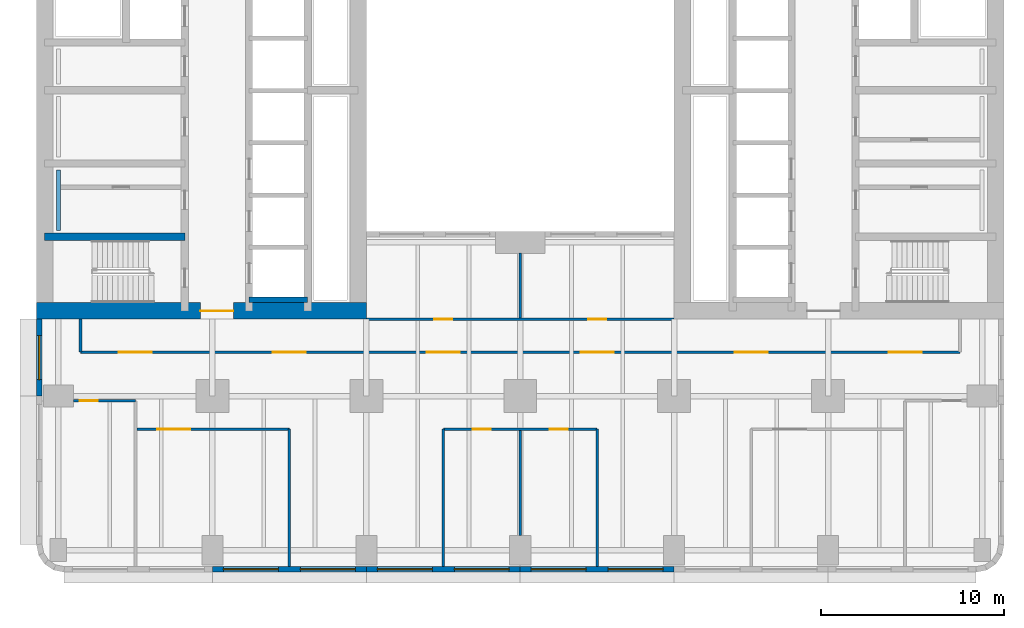
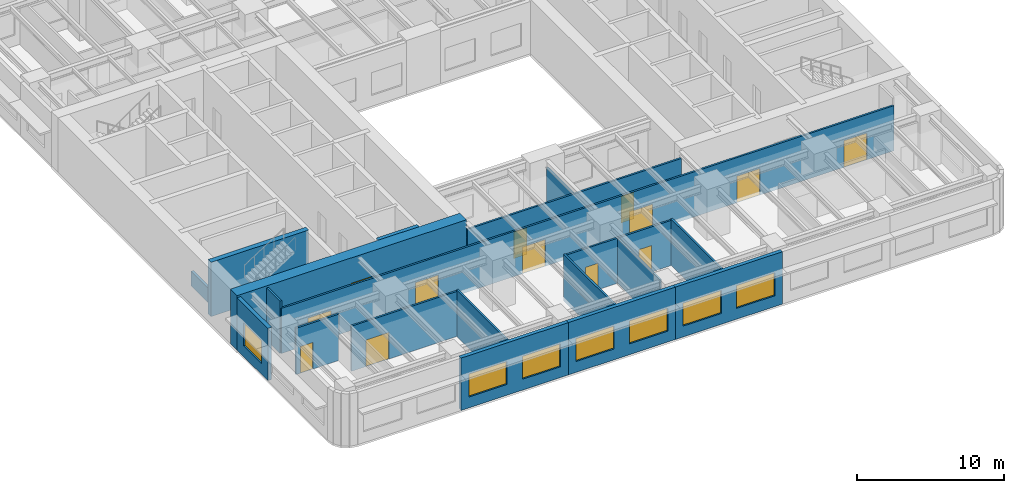
# One storey, part 3 of 14: 19 walls, 13 doors, 7 windows, 20 openings.
"""IFC4 building model written with IfcOpenShell, lengths in metres."""

import ifcopenshell
import ifcopenshell.guid

model = None  # the IFC model being written
_history = None  # IfcOwnerHistory: only IFC2X3 demands one
_inside = {}  # id of a spatial element -> (the spatial element, [elements in it])
_under = {}  # id of a project, library or spatial element -> (it, [spatial elements below it])
_declared = {}  # id of a project -> (the project, [libraries it declares])
_typed = {}  # id of a type object -> (the type object, [elements of that type])
_made_of = {}  # id of a material, layer set ... -> (it, [elements and type objects made of it])


def new_model(schema):
    """Start an empty IFC model of exactly this schema.

    Asked for "IFC4X3", IfcOpenShell would pick the latest addendum, in which some entities
    have other attributes; the version numbers below select the first issue.
    IFC2X3 requires an IfcOwnerHistory on every rooted entity: one is made here for all.
    """
    global model, _history
    if schema == "IFC4X3":
        model = ifcopenshell.file(schema_version=(4, 3, 0, 0))
    else:
        model = ifcopenshell.file(schema=schema)
    _inside.clear()
    _under.clear()
    _declared.clear()
    _typed.clear()
    _made_of.clear()
    _history = None
    if model.schema == "IFC2X3":
        org = make("IfcOrganization", Name="unknown")
        user = make(
            "IfcPersonAndOrganization",
            ThePerson=make("IfcPerson", FamilyName="unknown"),
            TheOrganization=org,
        )
        app = make(
            "IfcApplication",
            ApplicationDeveloper=org,
            Version="unknown",
            ApplicationFullName="unknown",
            ApplicationIdentifier="unknown",
        )
        _history = make(
            "IfcOwnerHistory",
            OwningUser=user,
            OwningApplication=app,
            ChangeAction="ADDED",
            CreationDate=0,
        )
    return model


def make(cls, **values):
    """One entity of the class cls with the attributes given. An attribute that is None is left unset."""
    return model.create_entity(
        cls, **{name: value for name, value in values.items() if value is not None}
    )


def rooted(cls, **values):
    """An entity with a GlobalId (a new one), such as an element, a storey or a relation."""
    return make(cls, GlobalId=ifcopenshell.guid.new(), OwnerHistory=_history, **values)


def si_unit(unit_type, name, prefix=None):
    """IfcSIUnit, for example si_unit("LENGTHUNIT", "METRE", prefix="MILLI")."""
    return make("IfcSIUnit", UnitType=unit_type, Prefix=prefix, Name=name)


def assignment(units):
    """IfcUnitAssignment: the units of a project."""
    return None if units is None else make("IfcUnitAssignment", Units=units)


def point(xyz):
    """IfcCartesianPoint."""
    return None if xyz is None else make("IfcCartesianPoint", Coordinates=xyz)


def direction(xyz):
    """IfcDirection."""
    return None if xyz is None else make("IfcDirection", DirectionRatios=xyz)


def frame(location, z_axis=None, x_axis=None):
    """IfcAxis2Placement3D, a coordinate frame: its origin and axes. An axis left out is left unset."""
    return make(
        "IfcAxis2Placement3D",
        Location=point(location),
        Axis=direction(z_axis),
        RefDirection=direction(x_axis),
    )


def frame_2d(location, x_axis=None):
    """IfcAxis2Placement2D, a coordinate frame in the plane: its origin and x axis."""
    return make(
        "IfcAxis2Placement2D", Location=point(location), RefDirection=direction(x_axis)
    )


def origin():
    """The frame at (0, 0, 0) with its axes left unset."""
    return frame((0.0, 0.0, 0.0))


def place(relative_to, where):
    """IfcLocalPlacement: puts the frame where relative to a parent placement (None: the world)."""
    return make(
        "IfcLocalPlacement", PlacementRelTo=relative_to, RelativePlacement=where
    )


def context(
    kind, dimensions, precision=None, world=None, true_north=None, identifier=None
):
    """IfcGeometricRepresentationContext, for example the 3D "Model" context."""
    return make(
        "IfcGeometricRepresentationContext",
        ContextIdentifier=identifier,
        ContextType=kind,
        CoordinateSpaceDimension=dimensions,
        Precision=precision,
        WorldCoordinateSystem=world,
        TrueNorth=true_north,
    )


def subcontext(parent, identifier, kind, view, scale=None):
    """IfcGeometricRepresentationSubContext, for example "Body" below "Model"."""
    return make(
        "IfcGeometricRepresentationSubContext",
        ContextIdentifier=identifier,
        ContextType=kind,
        ParentContext=parent,
        TargetScale=scale,
        TargetView=view,
    )


def project(units=None, contexts=None):
    """IfcProject with its units and contexts."""
    return rooted(
        "IfcProject",
        Name="project",
        RepresentationContexts=contexts,
        UnitsInContext=assignment(units),
    )


def spatial(cls, under=None, at=None, **own):
    """A site, building, storey or space (cls), placed at a placement, below another one or the project."""
    s = rooted(cls, ObjectPlacement=at, **own)
    if under is not None:
        _under.setdefault(under.id(), (under, []))[1].append(s)
    return s


def profile(cls, at=None, kind="AREA", **sizes):
    """A parametric profile (cls). Its sizes go by their IFC names, for example OverallWidth=200.0."""
    return make(cls, ProfileType=kind, Position=at, **sizes)


def rectangle(**sizes):
    """IfcRectangleProfileDef."""
    return profile("IfcRectangleProfileDef", **sizes)


def extrude(swept, where, along, depth):
    """IfcExtrudedAreaSolid: the profile swept, set in the frame where, extruded along a direction by depth."""
    return make(
        "IfcExtrudedAreaSolid",
        SweptArea=swept,
        Position=where,
        ExtrudedDirection=direction(along),
        Depth=depth,
    )


def shape(context_of_items, identifier, shape_type, items):
    """IfcShapeRepresentation: the items that make up one representation, for example the "Body"."""
    return make(
        "IfcShapeRepresentation",
        ContextOfItems=context_of_items,
        RepresentationIdentifier=identifier,
        RepresentationType=shape_type,
        Items=items,
    )


def material(Name=None, Category=None):
    """IfcMaterial."""
    return make("IfcMaterial", Name=Name, Category=Category)


def layer(
    of_material, thickness, ventilated=None, Name=None, Category=None, Priority=None
):
    """IfcMaterialLayer: one layer of a wall or slab, of a material (None: an air gap)."""
    return make(
        "IfcMaterialLayer",
        Material=of_material,
        LayerThickness=thickness,
        IsVentilated=ventilated,
        Name=Name,
        Category=Category,
        Priority=Priority,
    )


def layer_set(layers, Name=None):
    """IfcMaterialLayerSet."""
    return make("IfcMaterialLayerSet", MaterialLayers=layers, LayerSetName=Name)


def made_of(thing, what):
    """Note that an element or type object is made of a material, layer set ...; save() writes the relation."""
    if what is not None:
        _made_of.setdefault(what.id(), (what, []))[1].append(thing)
    return thing


def type_object(cls, material=None, **own):
    """A type object (cls), such as IfcWallType, which elements share."""
    return made_of(rooted(cls, **own), material)


def element(
    cls,
    number,
    at=None,
    inside=None,
    cuts=None,
    type_object=None,
    material=None,
    context=None,
    identifier="Body",
    shape_type=None,
    held_by="IfcProductDefinitionShape",
    body=None,
    shapes=None,
    **own,
):
    """One element of the class cls, such as IfcWall. Its Tag is "e" and its number.

    at: its placement. inside: the storey or other place that contains it. cuts: it is an
    opening in that element (IfcRelVoidsElement). A single representation is given by context,
    identifier, shape_type and body (its items); several are given by shapes. held_by: the class
    of the entity that holds the representations. save() writes the other relations.
    """
    e = rooted(cls, Tag="e%d" % number, ObjectPlacement=at, **own)
    if body is not None:
        shapes = [shape(context, identifier, shape_type, body)]
    if shapes is not None:
        e.Representation = make(held_by, Representations=shapes)
    if inside is not None:
        _inside.setdefault(inside.id(), (inside, []))[1].append(e)
    if cuts is not None:
        rooted(
            "IfcRelVoidsElement", RelatingBuildingElement=cuts, RelatedOpeningElement=e
        )
    if type_object is not None:
        _typed.setdefault(type_object.id(), (type_object, []))[1].append(e)
    return made_of(e, material)


def fill(opening, filler):
    """IfcRelFillsElement: the door or window that sits in an opening."""
    return rooted(
        "IfcRelFillsElement",
        RelatingOpeningElement=opening,
        RelatedBuildingElement=filler,
    )


def aggregate(whole, parts):
    """IfcRelAggregates: a whole, such as a stair, and the parts it consists of."""
    return rooted("IfcRelAggregates", RelatingObject=whole, RelatedObjects=parts)


def save(model, path):
    """Write the relations noted so far, then the file.

    IfcRelAggregates (storeys below a building ...), IfcRelContainedInSpatialStructure (elements
    in a storey), IfcRelDefinesByType, IfcRelAssociatesMaterial and IfcRelDeclares: one each for
    every whole, place, type object, material and project.
    """
    for whole, parts in _under.values():
        aggregate(whole, parts)
    for where, things in _inside.values():
        rooted(
            "IfcRelContainedInSpatialStructure",
            RelatedElements=things,
            RelatingStructure=where,
        )
    for kind, things in _typed.values():
        rooted("IfcRelDefinesByType", RelatedObjects=things, RelatingType=kind)
    for what, things in _made_of.values():
        rooted("IfcRelAssociatesMaterial", RelatedObjects=things, RelatingMaterial=what)
    for by, libraries in _declared.values():
        rooted("IfcRelDeclares", RelatingContext=by, RelatedDefinitions=libraries)
    model.write(path)


model = new_model("IFC4")

# Units and contexts
model_context = context("Model", 3, precision=1e-05, world=origin(), true_north=direction((0.0, 1.0)))
body_context = subcontext(model_context, "Body", "Model", "MODEL_VIEW")
ifc_project = project(units=[si_unit("LENGTHUNIT", "METRE"), si_unit("AREAUNIT", "SQUARE_METRE"), si_unit("VOLUMEUNIT", "CUBIC_METRE"), si_unit("PLANEANGLEUNIT", "RADIAN"), si_unit("MASSUNIT", "GRAM", prefix="KILO")], contexts=[model_context])

# Site, building, storey
site_placement = place(None, origin())
site = spatial("IfcSite", under=ifc_project, at=site_placement, CompositionType="ELEMENT")
building_placement = place(site_placement, origin())
building = spatial("IfcBuilding", under=site, at=building_placement, Name="Claustro Exchange Tower", CompositionType="ELEMENT")
storey_placement = place(building_placement, frame((0.0, 0.0, 72.89990234375)))
storey = spatial("IfcBuildingStorey", under=building, at=storey_placement, Name="L16", CompositionType="ELEMENT", Elevation=72.89990234375)

# Wall, opening, door
ifc_material_1 = material(Name="Gypsum board on steel studs", Category="steel")
ifc_layer_1 = layer(ifc_material_1, 0.14990234375)
ifc_layer_set_1 = layer_set([ifc_layer_1], Name="Gypsum board on steel studs")
wall_type_1 = type_object("IfcWallType", Name="P1 150 plasterboard partition", PredefinedType="PARTITIONING", material=ifc_layer_set_1)
wall_1_placement = place(storey_placement, frame((0.823974609375, 8.14990234375, 0.0), z_axis=(0.0, 0.0, 1.0), x_axis=(1.0, 0.0, 0.0)))
wall_1 = element("IfcWall", 1, at=wall_1_placement, inside=storey, type_object=wall_type_1, Name="Partition P1 L16", PredefinedType="PARTITIONING", context=body_context, shape_type="SweptSolid", body=[
    extrude(rectangle(XDim=3.3759765625, YDim=0.14990234375, at=frame_2d((1.68798828125, 0.0))), origin(), (0.0, 0.0, 1.0), 3.840087890625),
])
opening_1_placement = place(wall_1_placement, frame((0.325927734375, 0.0, 0.0)))
opening_1 = element("IfcOpeningElement", 2, at=opening_1_placement, cuts=wall_1, Name="Opening D1", PredefinedType="OPENING", context=body_context, shape_type="SweptSolid", body=[
    extrude(rectangle(XDim=1.0, YDim=2.199951171875, at=frame_2d((0.5, 1.10009765625))), frame((0.0, 0.0849609375, 0.0), z_axis=(0.0, -1.0, 0.0), x_axis=(1.0, 0.0, 0.0)), (0.0, 0.0, 1.0), 0.169921875),
])
ifc_material_2 = material(Name="Timber door, oak veneer", Category="wood")
door_type_1 = type_object("IfcDoorType", Name="D1 1000 x 2200 single door", OperationType="SINGLE_SWING_LEFT", PredefinedType="DOOR", material=ifc_material_2)
door_1_placement = place(opening_1_placement, frame((1.0, 0.0, 0.0), z_axis=(0.0, 0.0, 1.0), x_axis=(-1.0, 0.0, 0.0)))
door_1 = element("IfcDoor", 3, at=door_1_placement, inside=storey, type_object=door_type_1, Name="Door D1 L16", OperationType="SINGLE_SWING_LEFT", OverallHeight=2.199951171875, OverallWidth=1.0, PredefinedType="DOOR", context=body_context, shape_type="SweptSolid", body=[
    extrude(rectangle(XDim=1.0, YDim=2.199951171875, at=frame_2d((0.5, 1.10009765625))), frame((0.0, 0.02490234375, 0.0), z_axis=(0.0, -1.0, 0.0), x_axis=(1.0, 0.0, 0.0)), (0.0, 0.0, 1.0), 0.050048828125),
])
fill(opening_1, door_1)

wall_2_placement = place(storey_placement, frame((4.27392578125, 6.60009765625, 0.0), z_axis=(0.0, 0.0, 1.0), x_axis=(1.0, 0.0, 0.0)))
wall_2 = element("IfcWall", 4, at=wall_2_placement, inside=storey, type_object=wall_type_1, Name="Partition P1 L16", PredefinedType="PARTITIONING", context=body_context, shape_type="SweptSolid", body=[
    extrude(rectangle(XDim=8.326171875, YDim=0.14990234375, at=frame_2d((4.1630859375, 0.0))), origin(), (0.0, 0.0, 1.0), 3.739990234375),
])
opening_2_placement = place(wall_2_placement, frame((1.1259765625, 0.0, 0.0)))
opening_2 = element("IfcOpeningElement", 5, at=opening_2_placement, cuts=wall_2, Name="Opening D2", PredefinedType="OPENING", context=body_context, shape_type="SweptSolid", body=[
    extrude(rectangle(XDim=1.800048828125, YDim=2.199951171875, at=frame_2d((0.89990234375, 1.10009765625))), frame((0.0, 0.0849609375, 0.0), z_axis=(0.0, -1.0, 0.0), x_axis=(1.0, 0.0, 0.0)), (0.0, 0.0, 1.0), 0.169921875),
])
ifc_material_3 = material(Name="Timber door, oak veneer", Category="wood")
door_type_2 = type_object("IfcDoorType", Name="D2 1800 x 2200 double door", OperationType="DOUBLE_DOOR_SINGLE_SWING", PredefinedType="DOOR", material=ifc_material_3)
door_2_placement = place(opening_2_placement, frame((1.800048828125, 0.0, 0.0), z_axis=(0.0, 0.0, 1.0), x_axis=(-1.0, 0.0, 0.0)))
door_2 = element("IfcDoor", 6, at=door_2_placement, inside=storey, type_object=door_type_2, Name="Double door D2 L16", OperationType="DOUBLE_DOOR_SINGLE_SWING", OverallHeight=2.199951171875, OverallWidth=1.800048828125, PredefinedType="DOOR", context=body_context, shape_type="SweptSolid", body=[
    extrude(rectangle(XDim=1.800048828125, YDim=2.199951171875, at=frame_2d((0.89990234375, 1.10009765625))), frame((0.0, 0.02490234375, 0.0), z_axis=(0.0, -1.0, 0.0), x_axis=(1.0, 0.0, 0.0)), (0.0, 0.0, 1.0), 0.050048828125),
])
fill(opening_2, door_2)

# Wall
wall_3_placement = place(storey_placement, frame((12.60009765625, -0.902099609375, 0.0), z_axis=(0.0, 0.0, 1.0), x_axis=(0.0, 1.0, 0.0)))
element("IfcWall", 7, at=wall_3_placement, inside=storey, type_object=wall_type_1, Name="Partition P1 L16", PredefinedType="PARTITIONING", context=body_context, shape_type="SweptSolid", body=[
    extrude(rectangle(XDim=7.502197265625, YDim=0.14990234375, at=frame_2d((3.7509765625, 0.0))), origin(), (0.0, 0.0, 1.0), 3.840087890625),
])

# Wall, openings, doors
wall_4_placement = place(storey_placement, frame((21.0, 6.60009765625, 0.0), z_axis=(0.0, 0.0, 1.0), x_axis=(1.0, 0.0, 0.0)))
wall_4 = element("IfcWall", 8, at=wall_4_placement, inside=storey, type_object=wall_type_1, Name="Partition P1 L16", PredefinedType="PARTITIONING", context=body_context, shape_type="SweptSolid", body=[
    extrude(rectangle(XDim=8.39990234375, YDim=0.14990234375, at=frame_2d((4.199951171875, 0.0))), origin(), (0.0, 0.0, 1.0), 3.739990234375),
])
opening_3_placement = place(wall_4_placement, frame((1.60009765625, 0.0, 0.0)))
opening_3 = element("IfcOpeningElement", 9, at=opening_3_placement, cuts=wall_4, Name="Opening D1", PredefinedType="OPENING", context=body_context, shape_type="SweptSolid", body=[
    extrude(rectangle(XDim=1.0, YDim=2.199951171875, at=frame_2d((0.5, 1.10009765625))), frame((0.0, 0.0849609375, 0.0), z_axis=(0.0, -1.0, 0.0), x_axis=(1.0, 0.0, 0.0)), (0.0, 0.0, 1.0), 0.169921875),
])
opening_4_placement = place(wall_4_placement, frame((5.800048828125, 0.0, 0.0)))
opening_4 = element("IfcOpeningElement", 10, at=opening_4_placement, cuts=wall_4, Name="Opening D1", PredefinedType="OPENING", context=body_context, shape_type="SweptSolid", body=[
    extrude(rectangle(XDim=1.0, YDim=2.199951171875, at=frame_2d((0.5, 1.10009765625))), frame((0.0, 0.0849609375, 0.0), z_axis=(0.0, -1.0, 0.0), x_axis=(1.0, 0.0, 0.0)), (0.0, 0.0, 1.0), 0.169921875),
])
door_3_placement = place(opening_3_placement, frame((1.0, 0.0, 0.0), z_axis=(0.0, 0.0, 1.0), x_axis=(-1.0, 0.0, 0.0)))
door_3 = element("IfcDoor", 11, at=door_3_placement, inside=storey, type_object=door_type_1, Name="Door D1 L16", OperationType="SINGLE_SWING_LEFT", OverallHeight=2.199951171875, OverallWidth=1.0, PredefinedType="DOOR", context=body_context, shape_type="SweptSolid", body=[
    extrude(rectangle(XDim=1.0, YDim=2.199951171875, at=frame_2d((0.5, 1.10009765625))), frame((0.0, 0.02490234375, 0.0), z_axis=(0.0, -1.0, 0.0), x_axis=(1.0, 0.0, 0.0)), (0.0, 0.0, 1.0), 0.050048828125),
])
fill(opening_3, door_3)
door_4_placement = place(opening_4_placement, frame((1.0, 0.0, 0.0), z_axis=(0.0, 0.0, 1.0), x_axis=(-1.0, 0.0, 0.0)))
door_4 = element("IfcDoor", 12, at=door_4_placement, inside=storey, type_object=door_type_1, Name="Door D1 L16", OperationType="SINGLE_SWING_LEFT", OverallHeight=2.199951171875, OverallWidth=1.0, PredefinedType="DOOR", context=body_context, shape_type="SweptSolid", body=[
    extrude(rectangle(XDim=1.0, YDim=2.199951171875, at=frame_2d((0.5, 1.10009765625))), frame((0.0, 0.02490234375, 0.0), z_axis=(0.0, -1.0, 0.0), x_axis=(1.0, 0.0, 0.0)), (0.0, 0.0, 1.0), 0.050048828125),
])
fill(opening_4, door_4)

# Walls
wall_5_placement = place(storey_placement, frame((21.0, -0.902099609375, 0.0), z_axis=(0.0, 0.0, 1.0), x_axis=(0.0, 1.0, 0.0)))
element("IfcWall", 13, at=wall_5_placement, inside=storey, type_object=wall_type_1, Name="Partition P1 L16", PredefinedType="PARTITIONING", context=body_context, shape_type="SweptSolid", body=[
    extrude(rectangle(XDim=7.502197265625, YDim=0.14990234375, at=frame_2d((3.7509765625, 0.0))), origin(), (0.0, 0.0, 1.0), 3.840087890625),
])
wall_6_placement = place(storey_placement, frame((25.199951171875, 0.799072265625, 0.0), z_axis=(0.0, 0.0, 1.0), x_axis=(0.0, 1.0, 0.0)))
element("IfcWall", 14, at=wall_6_placement, inside=storey, type_object=wall_type_1, Name="Partition P1 L16", PredefinedType="PARTITIONING", context=body_context, shape_type="SweptSolid", body=[
    extrude(rectangle(XDim=5.726806640625, YDim=0.14990234375, at=frame_2d((2.86328125, 0.0))), origin(), (0.0, 0.0, 1.0), 3.739990234375),
])
wall_7_placement = place(storey_placement, frame((29.39990234375, -0.902099609375, 0.0), z_axis=(0.0, 0.0, 1.0), x_axis=(0.0, 1.0, 0.0)))
element("IfcWall", 15, at=wall_7_placement, inside=storey, type_object=wall_type_1, Name="Partition P1 L16", PredefinedType="PARTITIONING", context=body_context, shape_type="SweptSolid", body=[
    extrude(rectangle(XDim=7.502197265625, YDim=0.14990234375, at=frame_2d((3.7509765625, 0.0))), origin(), (0.0, 0.0, 1.0), 3.840087890625),
])

# Wall, openings, doors
wall_8_placement = place(storey_placement, frame((1.199951171875, 10.800048828125, 0.0), z_axis=(0.0, 0.0, 1.0), x_axis=(1.0, 0.0, 0.0)))
wall_8 = element("IfcWall", 16, at=wall_8_placement, inside=storey, type_object=wall_type_1, Name="Partition P1 L16", PredefinedType="PARTITIONING", context=body_context, shape_type="SweptSolid", body=[
    extrude(rectangle(XDim=48.0, YDim=0.14990234375, at=frame_2d((24.0, 0.0))), origin(), (0.0, 0.0, 1.0), 3.739990234375),
])
opening_5_placement = place(wall_8_placement, frame((2.10009765625, 0.0, 0.0)))
opening_5 = element("IfcOpeningElement", 17, at=opening_5_placement, cuts=wall_8, Name="Opening D2", PredefinedType="OPENING", context=body_context, shape_type="SweptSolid", body=[
    extrude(rectangle(XDim=1.800048828125, YDim=2.199951171875, at=frame_2d((0.89990234375, 1.10009765625))), frame((0.0, 0.0849609375, 0.0), z_axis=(0.0, -1.0, 0.0), x_axis=(1.0, 0.0, 0.0)), (0.0, 0.0, 1.0), 0.169921875),
])
opening_6_placement = place(wall_8_placement, frame((10.5, 0.0, 0.0)))
opening_6 = element("IfcOpeningElement", 18, at=opening_6_placement, cuts=wall_8, Name="Opening D2", PredefinedType="OPENING", context=body_context, shape_type="SweptSolid", body=[
    extrude(rectangle(XDim=1.800048828125, YDim=2.199951171875, at=frame_2d((0.89990234375, 1.10009765625))), frame((0.0, 0.0849609375, 0.0), z_axis=(0.0, -1.0, 0.0), x_axis=(1.0, 0.0, 0.0)), (0.0, 0.0, 1.0), 0.169921875),
])
opening_7_placement = place(wall_8_placement, frame((18.89990234375, 0.0, 0.0)))
opening_7 = element("IfcOpeningElement", 19, at=opening_7_placement, cuts=wall_8, Name="Opening D2", PredefinedType="OPENING", context=body_context, shape_type="SweptSolid", body=[
    extrude(rectangle(XDim=1.800048828125, YDim=2.199951171875, at=frame_2d((0.89990234375, 1.10009765625))), frame((0.0, 0.0849609375, 0.0), z_axis=(0.0, -1.0, 0.0), x_axis=(1.0, 0.0, 0.0)), (0.0, 0.0, 1.0), 0.169921875),
])
opening_8_placement = place(wall_8_placement, frame((27.300048828125, 0.0, 0.0)))
opening_8 = element("IfcOpeningElement", 20, at=opening_8_placement, cuts=wall_8, Name="Opening D2", PredefinedType="OPENING", context=body_context, shape_type="SweptSolid", body=[
    extrude(rectangle(XDim=1.800048828125, YDim=2.199951171875, at=frame_2d((0.89990234375, 1.10009765625))), frame((0.0, 0.0849609375, 0.0), z_axis=(0.0, -1.0, 0.0), x_axis=(1.0, 0.0, 0.0)), (0.0, 0.0, 1.0), 0.169921875),
])
opening_9_placement = place(wall_8_placement, frame((35.699951171875, 0.0, 0.0)))
opening_9 = element("IfcOpeningElement", 21, at=opening_9_placement, cuts=wall_8, Name="Opening D2", PredefinedType="OPENING", context=body_context, shape_type="SweptSolid", body=[
    extrude(rectangle(XDim=1.800048828125, YDim=2.199951171875, at=frame_2d((0.89990234375, 1.10009765625))), frame((0.0, 0.0849609375, 0.0), z_axis=(0.0, -1.0, 0.0), x_axis=(1.0, 0.0, 0.0)), (0.0, 0.0, 1.0), 0.169921875),
])
opening_10_placement = place(wall_8_placement, frame((44.10009765625, 0.0, 0.0)))
opening_10 = element("IfcOpeningElement", 22, at=opening_10_placement, cuts=wall_8, Name="Opening D2", PredefinedType="OPENING", context=body_context, shape_type="SweptSolid", body=[
    extrude(rectangle(XDim=1.800048828125, YDim=2.199951171875, at=frame_2d((0.89990234375, 1.10009765625))), frame((0.0, 0.0849609375, 0.0), z_axis=(0.0, -1.0, 0.0), x_axis=(1.0, 0.0, 0.0)), (0.0, 0.0, 1.0), 0.169921875),
])
door_5_placement = place(opening_5_placement, frame((1.800048828125, 0.0, 0.0), z_axis=(0.0, 0.0, 1.0), x_axis=(-1.0, 0.0, 0.0)))
door_5 = element("IfcDoor", 23, at=door_5_placement, inside=storey, type_object=door_type_2, Name="Double door D2 L16", OperationType="DOUBLE_DOOR_SINGLE_SWING", OverallHeight=2.199951171875, OverallWidth=1.800048828125, PredefinedType="DOOR", context=body_context, shape_type="SweptSolid", body=[
    extrude(rectangle(XDim=1.800048828125, YDim=2.199951171875, at=frame_2d((0.89990234375, 1.10009765625))), frame((0.0, 0.02490234375, 0.0), z_axis=(0.0, -1.0, 0.0), x_axis=(1.0, 0.0, 0.0)), (0.0, 0.0, 1.0), 0.050048828125),
])
fill(opening_5, door_5)
door_6_placement = place(opening_6_placement, frame((1.800048828125, 0.0, 0.0), z_axis=(0.0, 0.0, 1.0), x_axis=(-1.0, 0.0, 0.0)))
door_6 = element("IfcDoor", 24, at=door_6_placement, inside=storey, type_object=door_type_2, Name="Double door D2 L16", OperationType="DOUBLE_DOOR_SINGLE_SWING", OverallHeight=2.199951171875, OverallWidth=1.800048828125, PredefinedType="DOOR", context=body_context, shape_type="SweptSolid", body=[
    extrude(rectangle(XDim=1.800048828125, YDim=2.199951171875, at=frame_2d((0.89990234375, 1.10009765625))), frame((0.0, 0.02490234375, 0.0), z_axis=(0.0, -1.0, 0.0), x_axis=(1.0, 0.0, 0.0)), (0.0, 0.0, 1.0), 0.050048828125),
])
fill(opening_6, door_6)
door_7_placement = place(opening_7_placement, frame((1.800048828125, 0.0, 0.0), z_axis=(0.0, 0.0, 1.0), x_axis=(-1.0, 0.0, 0.0)))
door_7 = element("IfcDoor", 25, at=door_7_placement, inside=storey, type_object=door_type_2, Name="Double door D2 L16", OperationType="DOUBLE_DOOR_SINGLE_SWING", OverallHeight=2.199951171875, OverallWidth=1.800048828125, PredefinedType="DOOR", context=body_context, shape_type="SweptSolid", body=[
    extrude(rectangle(XDim=1.800048828125, YDim=2.199951171875, at=frame_2d((0.89990234375, 1.10009765625))), frame((0.0, 0.02490234375, 0.0), z_axis=(0.0, -1.0, 0.0), x_axis=(1.0, 0.0, 0.0)), (0.0, 0.0, 1.0), 0.050048828125),
])
fill(opening_7, door_7)
door_8_placement = place(opening_8_placement, frame((1.800048828125, 0.0, 0.0), z_axis=(0.0, 0.0, 1.0), x_axis=(-1.0, 0.0, 0.0)))
door_8 = element("IfcDoor", 26, at=door_8_placement, inside=storey, type_object=door_type_2, Name="Double door D2 L16", OperationType="DOUBLE_DOOR_SINGLE_SWING", OverallHeight=2.199951171875, OverallWidth=1.800048828125, PredefinedType="DOOR", context=body_context, shape_type="SweptSolid", body=[
    extrude(rectangle(XDim=1.800048828125, YDim=2.199951171875, at=frame_2d((0.89990234375, 1.10009765625))), frame((0.0, 0.02490234375, 0.0), z_axis=(0.0, -1.0, 0.0), x_axis=(1.0, 0.0, 0.0)), (0.0, 0.0, 1.0), 0.050048828125),
])
fill(opening_8, door_8)
door_9_placement = place(opening_9_placement, frame((1.800048828125, 0.0, 0.0), z_axis=(0.0, 0.0, 1.0), x_axis=(-1.0, 0.0, 0.0)))
door_9 = element("IfcDoor", 27, at=door_9_placement, inside=storey, type_object=door_type_2, Name="Double door D2 L16", OperationType="DOUBLE_DOOR_SINGLE_SWING", OverallHeight=2.199951171875, OverallWidth=1.800048828125, PredefinedType="DOOR", context=body_context, shape_type="SweptSolid", body=[
    extrude(rectangle(XDim=1.800048828125, YDim=2.199951171875, at=frame_2d((0.89990234375, 1.10009765625))), frame((0.0, 0.02490234375, 0.0), z_axis=(0.0, -1.0, 0.0), x_axis=(1.0, 0.0, 0.0)), (0.0, 0.0, 1.0), 0.050048828125),
])
fill(opening_9, door_9)
door_10_placement = place(opening_10_placement, frame((1.800048828125, 0.0, 0.0), z_axis=(0.0, 0.0, 1.0), x_axis=(-1.0, 0.0, 0.0)))
door_10 = element("IfcDoor", 28, at=door_10_placement, inside=storey, type_object=door_type_2, Name="Double door D2 L16", OperationType="DOUBLE_DOOR_SINGLE_SWING", OverallHeight=2.199951171875, OverallWidth=1.800048828125, PredefinedType="DOOR", context=body_context, shape_type="SweptSolid", body=[
    extrude(rectangle(XDim=1.800048828125, YDim=2.199951171875, at=frame_2d((0.89990234375, 1.10009765625))), frame((0.0, 0.02490234375, 0.0), z_axis=(0.0, -1.0, 0.0), x_axis=(1.0, 0.0, 0.0)), (0.0, 0.0, 1.0), 0.050048828125),
])
fill(opening_10, door_10)

# Wall
wall_9_placement = place(storey_placement, frame((1.199951171875, 10.800048828125, 0.0), z_axis=(0.0, 0.0, 1.0), x_axis=(0.0, 1.0, 0.0)))
element("IfcWall", 29, at=wall_9_placement, inside=storey, type_object=wall_type_1, Name="Partition P1 L16", PredefinedType="PARTITIONING", context=body_context, shape_type="SweptSolid", body=[
    extrude(rectangle(XDim=1.802001953125, YDim=0.14990234375, at=frame_2d((0.90087890625, 0.0))), origin(), (0.0, 0.0, 1.0), 4.340087890625),
])

# Wall, openings, doors
wall_10_placement = place(storey_placement, frame((16.820068359375, 12.60009765625, 0.0), z_axis=(0.0, 0.0, 1.0), x_axis=(1.0, 0.0, 0.0)))
wall_10 = element("IfcWall", 30, at=wall_10_placement, inside=storey, type_object=wall_type_1, Name="Partition P1 L16", PredefinedType="PARTITIONING", context=body_context, shape_type="SweptSolid", body=[
    extrude(rectangle(XDim=16.760009765625, YDim=0.14990234375, at=frame_2d((8.3798828125, 0.0))), origin(), (0.0, 0.0, 1.0), 3.739990234375),
])
opening_11_placement = place(wall_10_placement, frame((3.679931640625, 0.0, 0.0)))
opening_11 = element("IfcOpeningElement", 31, at=opening_11_placement, cuts=wall_10, Name="Opening D1", PredefinedType="OPENING", context=body_context, shape_type="SweptSolid", body=[
    extrude(rectangle(XDim=1.0, YDim=2.199951171875, at=frame_2d((0.5, 1.10009765625))), frame((0.0, 0.0849609375, 0.0), z_axis=(0.0, -1.0, 0.0), x_axis=(1.0, 0.0, 0.0)), (0.0, 0.0, 1.0), 0.169921875),
])
opening_12_placement = place(wall_10_placement, frame((12.080078125, 0.0, 0.0)))
opening_12 = element("IfcOpeningElement", 32, at=opening_12_placement, cuts=wall_10, Name="Opening D1", PredefinedType="OPENING", context=body_context, shape_type="SweptSolid", body=[
    extrude(rectangle(XDim=1.0, YDim=2.199951171875, at=frame_2d((0.5, 1.10009765625))), frame((0.0, 0.0849609375, 0.0), z_axis=(0.0, -1.0, 0.0), x_axis=(1.0, 0.0, 0.0)), (0.0, 0.0, 1.0), 0.169921875),
])
door_11_placement = place(opening_11_placement, origin())
door_11 = element("IfcDoor", 33, at=door_11_placement, inside=storey, type_object=door_type_1, Name="Door D1 L16", OperationType="SINGLE_SWING_RIGHT", OverallHeight=2.199951171875, OverallWidth=1.0, PredefinedType="DOOR", context=body_context, shape_type="SweptSolid", body=[
    extrude(rectangle(XDim=1.0, YDim=2.199951171875, at=frame_2d((0.5, 1.10009765625))), frame((0.0, 0.02490234375, 0.0), z_axis=(0.0, -1.0, 0.0), x_axis=(1.0, 0.0, 0.0)), (0.0, 0.0, 1.0), 0.050048828125),
])
fill(opening_11, door_11)
door_12_placement = place(opening_12_placement, origin())
door_12 = element("IfcDoor", 34, at=door_12_placement, inside=storey, type_object=door_type_1, Name="Door D1 L16", OperationType="SINGLE_SWING_LEFT", OverallHeight=2.199951171875, OverallWidth=1.0, PredefinedType="DOOR", context=body_context, shape_type="SweptSolid", body=[
    extrude(rectangle(XDim=1.0, YDim=2.199951171875, at=frame_2d((0.5, 1.10009765625))), frame((0.0, 0.02490234375, 0.0), z_axis=(0.0, -1.0, 0.0), x_axis=(1.0, 0.0, 0.0)), (0.0, 0.0, 1.0), 0.050048828125),
])
fill(opening_12, door_12)

# Wall
wall_11_placement = place(storey_placement, frame((25.199951171875, 12.674072265625, 0.0), z_axis=(0.0, 0.0, 1.0), x_axis=(0.0, 1.0, 0.0)))
element("IfcWall", 35, at=wall_11_placement, inside=storey, type_object=wall_type_1, Name="Partition P1 L16", PredefinedType="PARTITIONING", context=body_context, shape_type="SweptSolid", body=[
    extrude(rectangle(XDim=3.52685546875, YDim=0.14990234375, at=frame_2d((1.763427734375, 0.0))), origin(), (0.0, 0.0, 1.0), 3.739990234375),
])

# Wall, openings, windows
ifc_material_4 = material(Name="Concrete HA-40 (C40/50), precast, white cement, acid-etched", Category="concrete")
ifc_layer_2 = layer(ifc_material_4, 0.300048828125)
ifc_layer_set_2 = layer_set([ifc_layer_2], Name="Concrete HA-40 (C40/50), precast, white cement, acid-etched")
wall_type_2 = type_object("IfcWallType", Name="PC1 300 precast concrete pier panel", PredefinedType="SOLIDWALL", material=ifc_layer_set_2)
wall_12_placement = place(storey_placement, frame((33.60009765625, -1.050048828125, 0.0), z_axis=(0.0, 0.0, 1.0), x_axis=(-1.0, 0.0, 0.0)))
wall_12 = element("IfcWall", 36, at=wall_12_placement, inside=storey, type_object=wall_type_2, Name="Precast pier panel PC1 L16", PredefinedType="SOLIDWALL", context=body_context, shape_type="SweptSolid", body=[
    extrude(rectangle(XDim=8.400146484375, YDim=0.300048828125, at=frame_2d((4.2001953125, 0.0))), origin(), (0.0, 0.0, 1.0), 4.340087890625),
])
opening_13_placement = place(wall_12_placement, frame((0.60009765625, 0.0, 0.89990234375)))
opening_13 = element("IfcOpeningElement", 37, at=opening_13_placement, cuts=wall_12, Name="Opening W1", PredefinedType="OPENING", context=body_context, shape_type="SweptSolid", body=[
    extrude(rectangle(XDim=3.0, YDim=1.89990234375, at=frame_2d((1.5, 0.949951171875))), frame((0.0, 0.159912109375, 0.0), z_axis=(0.0, -1.0, 0.0), x_axis=(1.0, 0.0, 0.0)), (0.0, 0.0, 1.0), 0.320068359375),
])
opening_14_placement = place(wall_12_placement, frame((4.800048828125, 0.0, 0.89990234375)))
opening_14 = element("IfcOpeningElement", 38, at=opening_14_placement, cuts=wall_12, Name="Opening W1", PredefinedType="OPENING", context=body_context, shape_type="SweptSolid", body=[
    extrude(rectangle(XDim=3.0, YDim=1.89990234375, at=frame_2d((1.5, 0.949951171875))), frame((0.0, 0.159912109375, 0.0), z_axis=(0.0, -1.0, 0.0), x_axis=(1.0, 0.0, 0.0)), (0.0, 0.0, 1.0), 0.320068359375),
])
ifc_material_5 = material(Name="Aluminium frame, clear double glazing", Category="aluminium")
window_type_1 = type_object("IfcWindowType", Name="W1 3000 x 1900 window", PartitioningType="SINGLE_PANEL", PredefinedType="WINDOW", material=ifc_material_5)
window_1_placement = place(opening_13_placement, origin())
window_1 = element("IfcWindow", 39, at=window_1_placement, inside=storey, type_object=window_type_1, Name="Window W1 L16", OverallHeight=1.89990234375, OverallWidth=3.0, PartitioningType="SINGLE_PANEL", PredefinedType="WINDOW", context=body_context, shape_type="SweptSolid", body=[
    extrude(rectangle(XDim=3.0, YDim=1.89990234375, at=frame_2d((1.5, 0.949951171875))), frame((0.0, 0.030029296875, 0.0), z_axis=(0.0, -1.0, 0.0), x_axis=(1.0, 0.0, 0.0)), (0.0, 0.0, 1.0), 0.06005859375),
])
fill(opening_13, window_1)
window_2_placement = place(opening_14_placement, origin())
window_2 = element("IfcWindow", 40, at=window_2_placement, inside=storey, type_object=window_type_1, Name="Window W1 L16", OverallHeight=1.89990234375, OverallWidth=3.0, PartitioningType="SINGLE_PANEL", PredefinedType="WINDOW", context=body_context, shape_type="SweptSolid", body=[
    extrude(rectangle(XDim=3.0, YDim=1.89990234375, at=frame_2d((1.5, 0.949951171875))), frame((0.0, 0.030029296875, 0.0), z_axis=(0.0, -1.0, 0.0), x_axis=(1.0, 0.0, 0.0)), (0.0, 0.0, 1.0), 0.06005859375),
])
fill(opening_14, window_2)

wall_13_placement = place(storey_placement, frame((25.199951171875, -1.050048828125, 0.0), z_axis=(0.0, 0.0, 1.0), x_axis=(-1.0, 0.0, 0.0)))
wall_13 = element("IfcWall", 41, at=wall_13_placement, inside=storey, type_object=wall_type_2, Name="Precast pier panel PC1 L16", PredefinedType="SOLIDWALL", context=body_context, shape_type="SweptSolid", body=[
    extrude(rectangle(XDim=8.39990234375, YDim=0.300048828125, at=frame_2d((4.199951171875, 0.0))), origin(), (0.0, 0.0, 1.0), 4.340087890625),
])
opening_15_placement = place(wall_13_placement, frame((0.60009765625, 0.0, 0.89990234375)))
opening_15 = element("IfcOpeningElement", 42, at=opening_15_placement, cuts=wall_13, Name="Opening W1", PredefinedType="OPENING", context=body_context, shape_type="SweptSolid", body=[
    extrude(rectangle(XDim=3.0, YDim=1.89990234375, at=frame_2d((1.5, 0.949951171875))), frame((0.0, 0.159912109375, 0.0), z_axis=(0.0, -1.0, 0.0), x_axis=(1.0, 0.0, 0.0)), (0.0, 0.0, 1.0), 0.320068359375),
])
opening_16_placement = place(wall_13_placement, frame((4.800048828125, 0.0, 0.89990234375)))
opening_16 = element("IfcOpeningElement", 43, at=opening_16_placement, cuts=wall_13, Name="Opening W1", PredefinedType="OPENING", context=body_context, shape_type="SweptSolid", body=[
    extrude(rectangle(XDim=3.0, YDim=1.89990234375, at=frame_2d((1.5, 0.949951171875))), frame((0.0, 0.159912109375, 0.0), z_axis=(0.0, -1.0, 0.0), x_axis=(1.0, 0.0, 0.0)), (0.0, 0.0, 1.0), 0.320068359375),
])
window_3_placement = place(opening_15_placement, origin())
window_3 = element("IfcWindow", 44, at=window_3_placement, inside=storey, type_object=window_type_1, Name="Window W1 L16", OverallHeight=1.89990234375, OverallWidth=3.0, PartitioningType="SINGLE_PANEL", PredefinedType="WINDOW", context=body_context, shape_type="SweptSolid", body=[
    extrude(rectangle(XDim=3.0, YDim=1.89990234375, at=frame_2d((1.5, 0.949951171875))), frame((0.0, 0.030029296875, 0.0), z_axis=(0.0, -1.0, 0.0), x_axis=(1.0, 0.0, 0.0)), (0.0, 0.0, 1.0), 0.06005859375),
])
fill(opening_15, window_3)
window_4_placement = place(opening_16_placement, origin())
window_4 = element("IfcWindow", 45, at=window_4_placement, inside=storey, type_object=window_type_1, Name="Window W1 L16", OverallHeight=1.89990234375, OverallWidth=3.0, PartitioningType="SINGLE_PANEL", PredefinedType="WINDOW", context=body_context, shape_type="SweptSolid", body=[
    extrude(rectangle(XDim=3.0, YDim=1.89990234375, at=frame_2d((1.5, 0.949951171875))), frame((0.0, 0.030029296875, 0.0), z_axis=(0.0, -1.0, 0.0), x_axis=(1.0, 0.0, 0.0)), (0.0, 0.0, 1.0), 0.06005859375),
])
fill(opening_16, window_4)

wall_14_placement = place(storey_placement, frame((16.800048828125, -1.050048828125, 0.0), z_axis=(0.0, 0.0, 1.0), x_axis=(-1.0, 0.0, 0.0)))
wall_14 = element("IfcWall", 46, at=wall_14_placement, inside=storey, type_object=wall_type_2, Name="Precast pier panel PC1 L16", PredefinedType="SOLIDWALL", context=body_context, shape_type="SweptSolid", body=[
    extrude(rectangle(XDim=8.400146484375, YDim=0.300048828125, at=frame_2d((4.2001953125, 0.0))), origin(), (0.0, 0.0, 1.0), 4.340087890625),
])
opening_17_placement = place(wall_14_placement, frame((0.60009765625, 0.0, 0.89990234375)))
opening_17 = element("IfcOpeningElement", 47, at=opening_17_placement, cuts=wall_14, Name="Opening W1", PredefinedType="OPENING", context=body_context, shape_type="SweptSolid", body=[
    extrude(rectangle(XDim=3.0, YDim=1.89990234375, at=frame_2d((1.5, 0.949951171875))), frame((0.0, 0.159912109375, 0.0), z_axis=(0.0, -1.0, 0.0), x_axis=(1.0, 0.0, 0.0)), (0.0, 0.0, 1.0), 0.320068359375),
])
opening_18_placement = place(wall_14_placement, frame((4.800048828125, 0.0, 0.89990234375)))
opening_18 = element("IfcOpeningElement", 48, at=opening_18_placement, cuts=wall_14, Name="Opening W1", PredefinedType="OPENING", context=body_context, shape_type="SweptSolid", body=[
    extrude(rectangle(XDim=3.0, YDim=1.89990234375, at=frame_2d((1.5, 0.949951171875))), frame((0.0, 0.159912109375, 0.0), z_axis=(0.0, -1.0, 0.0), x_axis=(1.0, 0.0, 0.0)), (0.0, 0.0, 1.0), 0.320068359375),
])
window_5_placement = place(opening_17_placement, origin())
window_5 = element("IfcWindow", 49, at=window_5_placement, inside=storey, type_object=window_type_1, Name="Window W1 L16", OverallHeight=1.89990234375, OverallWidth=3.0, PartitioningType="SINGLE_PANEL", PredefinedType="WINDOW", context=body_context, shape_type="SweptSolid", body=[
    extrude(rectangle(XDim=3.0, YDim=1.89990234375, at=frame_2d((1.5, 0.949951171875))), frame((0.0, 0.030029296875, 0.0), z_axis=(0.0, -1.0, 0.0), x_axis=(1.0, 0.0, 0.0)), (0.0, 0.0, 1.0), 0.06005859375),
])
fill(opening_17, window_5)
window_6_placement = place(opening_18_placement, origin())
window_6 = element("IfcWindow", 50, at=window_6_placement, inside=storey, type_object=window_type_1, Name="Window W1 L16", OverallHeight=1.89990234375, OverallWidth=3.0, PartitioningType="SINGLE_PANEL", PredefinedType="WINDOW", context=body_context, shape_type="SweptSolid", body=[
    extrude(rectangle(XDim=3.0, YDim=1.89990234375, at=frame_2d((1.5, 0.949951171875))), frame((0.0, 0.030029296875, 0.0), z_axis=(0.0, -1.0, 0.0), x_axis=(1.0, 0.0, 0.0)), (0.0, 0.0, 1.0), 0.06005859375),
])
fill(opening_18, window_6)

# Wall, opening, window
wall_15_placement = place(storey_placement, frame((-1.050048828125, 8.39990234375, 0.0), z_axis=(0.0, 0.0, 1.0), x_axis=(0.0, 1.0, 0.0)))
wall_15 = element("IfcWall", 51, at=wall_15_placement, inside=storey, type_object=wall_type_2, Name="Precast pier panel PC1 L16", PredefinedType="SOLIDWALL", context=body_context, shape_type="SweptSolid", body=[
    extrude(rectangle(XDim=4.2001953125, YDim=0.300048828125, at=frame_2d((2.10009765625, 0.0))), origin(), (0.0, 0.0, 1.0), 4.340087890625),
])
opening_19_placement = place(wall_15_placement, frame((0.89990234375, 0.0, 0.89990234375)))
opening_19 = element("IfcOpeningElement", 52, at=opening_19_placement, cuts=wall_15, Name="Opening W2", PredefinedType="OPENING", context=body_context, shape_type="SweptSolid", body=[
    extrude(rectangle(XDim=2.39990234375, YDim=1.89990234375, at=frame_2d((1.199951171875, 0.949951171875))), frame((0.0, 0.159912109375, 0.0), z_axis=(0.0, -1.0, 0.0), x_axis=(1.0, 0.0, 0.0)), (0.0, 0.0, 1.0), 0.320068359375),
])
ifc_material_6 = material(Name="Aluminium frame, clear double glazing", Category="aluminium")
window_type_2 = type_object("IfcWindowType", Name="W2 2400 x 1900 window", PartitioningType="SINGLE_PANEL", PredefinedType="WINDOW", material=ifc_material_6)
window_7_placement = place(opening_19_placement, origin())
window_7 = element("IfcWindow", 53, at=window_7_placement, inside=storey, type_object=window_type_2, Name="Window W2 L16", OverallHeight=1.89990234375, OverallWidth=2.39990234375, PartitioningType="SINGLE_PANEL", PredefinedType="WINDOW", context=body_context, shape_type="SweptSolid", body=[
    extrude(rectangle(XDim=2.39990234375, YDim=1.89990234375, at=frame_2d((1.199951171875, 0.949951171875))), frame((0.0, 0.030029296875, 0.0), z_axis=(0.0, -1.0, 0.0), x_axis=(1.0, 0.0, 0.0)), (0.0, 0.0, 1.0), 0.06005859375),
])
fill(opening_19, window_7)

# Wall
ifc_material_7 = material(Name="Gypsum board on steel studs, tiled", Category="steel")
ifc_layer_3 = layer(ifc_material_7, 0.199951171875)
ifc_layer_set_3 = layer_set([ifc_layer_3], Name="Gypsum board on steel studs, tiled")
wall_type_3 = type_object("IfcWallType", Name="PW1 200 WC duct wall", PredefinedType="PLUMBINGWALL", material=ifc_layer_set_3)
wall_16_placement = place(storey_placement, frame((0.0, 17.449951171875, 0.0), z_axis=(0.0, 0.0, 1.0), x_axis=(0.0, 1.0, 0.0)))
element("IfcWall", 54, at=wall_16_placement, inside=storey, type_object=wall_type_3, Name="WC duct wall PW1 L16", PredefinedType="PLUMBINGWALL", context=body_context, shape_type="SweptSolid", body=[
    extrude(rectangle(XDim=3.300048828125, YDim=0.199951171875, at=frame_2d((1.64990234375, 0.0))), origin(), (0.0, 0.0, 1.0), 1.2001953125),
])

# Wall, opening, door
ifc_material_8 = material(Name="Concrete HA-70 (C70/85)", Category="concrete")
ifc_layer_4 = layer(ifc_material_8, 0.89990234375)
ifc_layer_set_4 = layer_set([ifc_layer_4], Name="Concrete HA-70 (C70/85)")
wall_type_4 = type_object("IfcWallType", Name="SW1 900 core shear wall", PredefinedType="SHEAR", material=ifc_layer_set_4)
wall_17_placement = place(storey_placement, frame((-1.199951171875, 13.050048828125, 0.0), z_axis=(0.0, 0.0, 1.0), x_axis=(1.0, 0.0, 0.0)))
wall_17 = element("IfcWall", 55, at=wall_17_placement, inside=storey, type_object=wall_type_4, Name="Core wall SW1 W core S face L16", PredefinedType="SHEAR", context=body_context, shape_type="SweptSolid", body=[
    extrude(rectangle(XDim=18.0, YDim=0.89990234375, at=frame_2d((9.0, 0.0))), origin(), (0.0, 0.0, 1.0), 4.5),
])
opening_20_placement = place(wall_17_placement, frame((8.949951171875, 0.0, 0.0)))
opening_20 = element("IfcOpeningElement", 56, at=opening_20_placement, cuts=wall_17, Name="Opening D3", PredefinedType="OPENING", context=body_context, shape_type="SweptSolid", body=[
    extrude(rectangle(XDim=1.800048828125, YDim=2.39990234375, at=frame_2d((0.89990234375, 1.199951171875))), frame((0.0, 0.4599609375, 0.0), z_axis=(0.0, -1.0, 0.0), x_axis=(1.0, 0.0, 0.0)), (0.0, 0.0, 1.0), 0.919921875),
])
ifc_material_9 = material(Name="Steel fire door, painted", Category="steel")
door_type_3 = type_object("IfcDoorType", Name="D3 1800 x 2400 fire-rated lobby double door", OperationType="DOUBLE_DOOR_SINGLE_SWING", PredefinedType="DOOR", material=ifc_material_9)
door_13_placement = place(opening_20_placement, origin())
door_13 = element("IfcDoor", 57, at=door_13_placement, inside=storey, type_object=door_type_3, Name="Lift lobby door D3 L16", OperationType="DOUBLE_DOOR_SINGLE_SWING", OverallHeight=2.39990234375, OverallWidth=1.800048828125, PredefinedType="DOOR", context=body_context, shape_type="SweptSolid", body=[
    extrude(rectangle(XDim=1.800048828125, YDim=2.39990234375, at=frame_2d((0.89990234375, 1.199951171875))), frame((0.0, 0.02490234375, 0.0), z_axis=(0.0, -1.0, 0.0), x_axis=(1.0, 0.0, 0.0)), (0.0, 0.0, 1.0), 0.050048828125),
])
fill(opening_20, door_13)

# Walls
ifc_material_10 = material(Name="Concrete HA-50 (C50/60)", Category="concrete")
ifc_layer_5 = layer(ifc_material_10, 0.39990234375)
ifc_layer_set_5 = layer_set([ifc_layer_5], Name="Concrete HA-50 (C50/60)")
wall_type_5 = type_object("IfcWallType", Name="SW4 400 internal core wall", PredefinedType="SHEAR", material=ifc_layer_set_5)
wall_18_placement = place(storey_placement, frame((-0.75, 17.10009765625, 0.0), z_axis=(0.0, 0.0, 1.0), x_axis=(1.0, 0.0, 0.0)))
element("IfcWall", 58, at=wall_18_placement, inside=storey, type_object=wall_type_5, Name="Internal core wall SW4 W core L16", PredefinedType="SHEAR", context=body_context, shape_type="SweptSolid", body=[
    extrude(rectangle(XDim=7.64990234375, YDim=0.39990234375, at=frame_2d((3.824951171875, 0.0))), origin(), (0.0, 0.0, 1.0), 4.5),
])
ifc_material_11 = material(Name="Concrete HA-50 (C50/60)", Category="concrete")
ifc_layer_6 = layer(ifc_material_11, 0.300048828125)
ifc_layer_set_6 = layer_set([ifc_layer_6], Name="Concrete HA-50 (C50/60)")
wall_type_6 = type_object("IfcWallType", Name="SW6A 300 lift shaft end wall", PredefinedType="SHEAR", material=ifc_layer_set_6)
wall_19_placement = place(storey_placement, frame((10.39990234375, 13.64990234375, 0.0), z_axis=(0.0, 0.0, 1.0), x_axis=(1.0, 0.0, 0.0)))
element("IfcWall", 59, at=wall_19_placement, inside=storey, type_object=wall_type_6, Name="Lift shaft wall W core L16", PredefinedType="SHEAR", context=body_context, shape_type="SweptSolid", body=[
    extrude(rectangle(XDim=3.2001953125, YDim=0.300048828125, at=frame_2d((1.60009765625, 0.0))), origin(), (0.0, 0.0, 1.0), 4.5),
])

save(model, "model.ifc")
